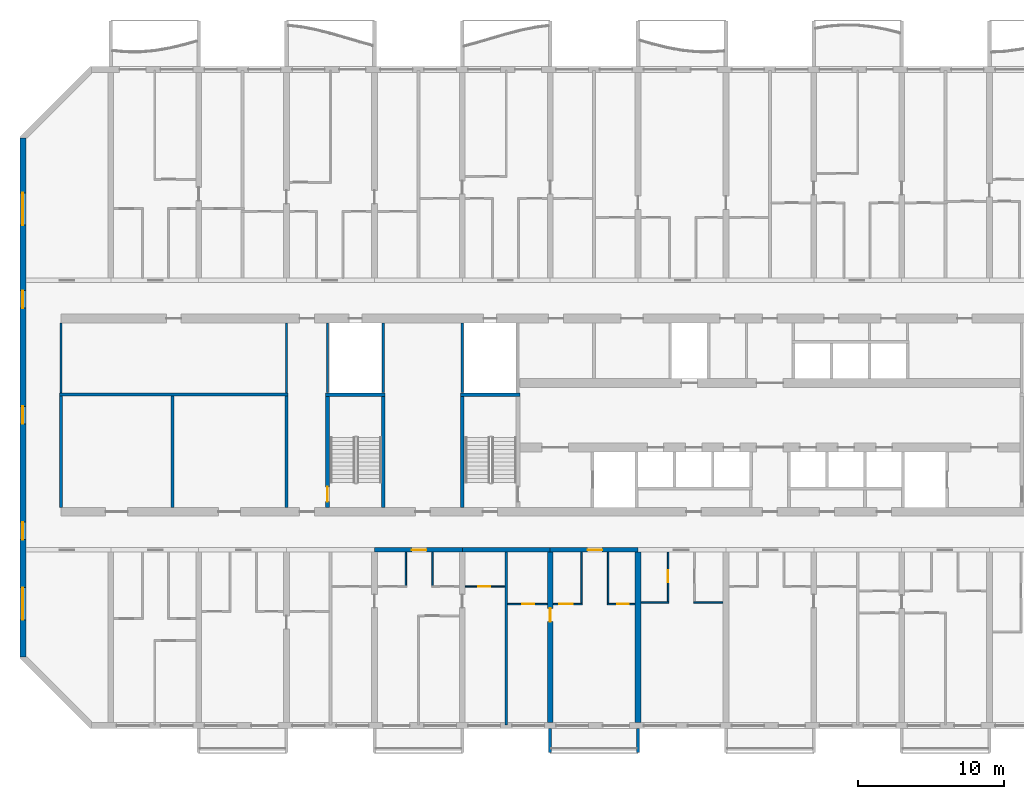
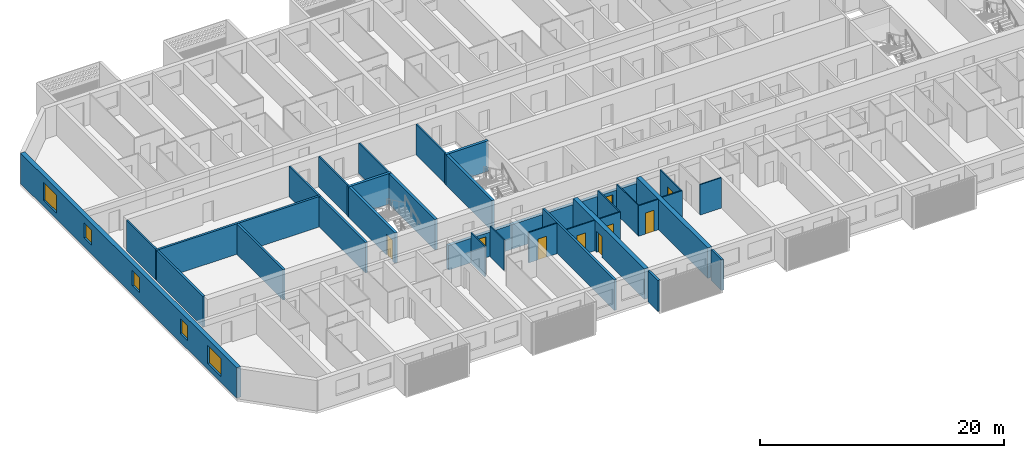
# One storey, part 3 of 38: 34 walls, 9 doors, 5 windows, 14 openings.
"""IFC4 building model written with IfcOpenShell, lengths in metres."""

from ifc_helpers import new_model, si_unit, direction, frame, frame_2d, origin, place, context, subcontext, project, spatial, polyline, rectangle, outline, extrude, source, transform, mapped, material, layer, layer_set, type_object, element, fill, save


model = new_model("IFC4")

# Units and contexts
model_context = context("Model", 3, precision=1e-05, world=origin(), true_north=direction((0.0, 1.0)))
body_context = subcontext(model_context, "Body", "Model", "MODEL_VIEW")
ifc_project = project(units=[si_unit("LENGTHUNIT", "METRE"), si_unit("AREAUNIT", "SQUARE_METRE"), si_unit("VOLUMEUNIT", "CUBIC_METRE"), si_unit("PLANEANGLEUNIT", "RADIAN"), si_unit("MASSUNIT", "GRAM", prefix="KILO")], contexts=[model_context])

# Site, building, storey
site_placement = place(None, origin())
site = spatial("IfcSite", under=ifc_project, at=site_placement, CompositionType="ELEMENT")
building_placement = place(site_placement, origin())
building = spatial("IfcBuilding", under=site, at=building_placement, Name="Poui Terraces", CompositionType="ELEMENT")
storey_placement = place(building_placement, frame((0.0, 0.0, 46.5)))
storey = spatial("IfcBuildingStorey", under=building, at=storey_placement, Name="L12", CompositionType="ELEMENT", Elevation=46.5)

# Walls
ifc_material_1 = material(Name="Fire-rated plasterboard wall")
ifc_layer_1 = layer(ifc_material_1, 0.14990234375)
ifc_layer_set_1 = layer_set([ifc_layer_1], Name="Fire-rated plasterboard wall")
wall_type_1 = type_object("IfcWallType", Name="CORRIDOR WALL 150", PredefinedType="PARTITIONING", material=ifc_layer_set_1)
for number, where, z_axis, x_axis, name in (
    (1, (2.60009765625, 22.699951171875, 0.0), (0.0, 0.0, 1.0), (0.0, 1.0, 0.0), "CORRIDOR WALL 150"),
    (2, (18.0, 22.699951171875, 0.0), (0.0, 0.0, 1.0), (0.0, 1.0, 0.0), "CORRIDOR WALL 150"),
):
    element("IfcWall", number, at=place(storey_placement, frame(where, z_axis=z_axis, x_axis=x_axis)), inside=storey, type_object=wall_type_1, Name=name, PredefinedType="PARTITIONING", context=body_context, shape_type="SweptSolid", body=[
        extrude(rectangle(XDim=4.7900390625, YDim=0.14990234375, at=frame_2d((2.39501953125, 0.0))), origin(), (0.0, 0.0, 1.0), 3.050048828125),
    ])

# Wall, opening, door
ifc_material_2 = material(Name="Concrete 80 MPa", Category="concrete")
ifc_layer_2 = layer(ifc_material_2, 0.300048828125)
ifc_layer_set_2 = layer_set([ifc_layer_2], Name="Concrete 80 MPa")
wall_type_2 = type_object("IfcWallType", Name="CORRIDOR WALL 300 80MPa", PredefinedType="SHEAR", material=ifc_layer_set_2)
wall_1_placement = place(storey_placement, frame((24.0, 12.0, 0.0), z_axis=(0.0, 0.0, 1.0), x_axis=(1.0, 0.0, 0.0)))
wall_1 = element("IfcWall", 3, at=wall_1_placement, inside=storey, type_object=wall_type_2, Name="CORRIDOR WALL LINE B BAY 5", PredefinedType="SHEAR", context=body_context, shape_type="SweptSolid", body=[
    extrude(rectangle(XDim=6.0, YDim=0.300048828125, at=frame_2d((3.0, 0.0))), origin(), (0.0, 0.0, 1.0), 2.449951171875),
])
opening_1_placement = place(wall_1_placement, frame((2.550048828125, 0.0, 0.0)))
opening_1 = element("IfcOpeningElement", 4, at=opening_1_placement, cuts=wall_1, Name="Opening FD30S", PredefinedType="OPENING", context=body_context, shape_type="SweptSolid", body=[
    extrude(rectangle(XDim=1.0, YDim=2.10009765625, at=frame_2d((0.5, 1.050048828125))), frame((0.0, 0.16015625, 0.0), z_axis=(0.0, -1.0, 0.0), x_axis=(1.0, 0.0, 0.0)), (0.0, 0.0, 1.0), 0.320068359375),
])
ifc_material_3 = material(Name="Steel fire door", Category="steel")
door_type_1 = type_object("IfcDoorType", Name="FLAT ENTRANCE DOOR 1000 X 2100", OperationType="NOTDEFINED", PredefinedType="DOOR", material=ifc_material_3)
door_1_placement = place(opening_1_placement, frame((1.0, 0.0, 0.0), z_axis=(0.0, 0.0, 1.0), x_axis=(-1.0, 0.0, 0.0)))
door_1 = element("IfcDoor", 5, at=door_1_placement, inside=storey, type_object=door_type_1, Name="FLAT ENTRANCE DOOR 105", OperationType="SINGLE_SWING_LEFT", OverallHeight=2.10009765625, OverallWidth=1.0, PredefinedType="DOOR", context=body_context, shape_type="SweptSolid", body=[
    extrude(rectangle(XDim=1.0, YDim=2.10009765625, at=frame_2d((0.5, 1.050048828125))), frame((0.0, 0.02490234375, 0.0), z_axis=(0.0, -1.0, 0.0), x_axis=(1.0, 0.0, 0.0)), (0.0, 0.0, 1.0), 0.050048828125),
])
fill(opening_1, door_1)

# Wall
wall_2_placement = place(storey_placement, frame((30.0, 12.0, 0.0), z_axis=(0.0, 0.0, 1.0), x_axis=(1.0, 0.0, 0.0)))
element("IfcWall", 6, at=wall_2_placement, inside=storey, type_object=wall_type_2, Name="CORRIDOR WALL LINE B BAY 6", PredefinedType="SHEAR", context=body_context, shape_type="SweptSolid", body=[
    extrude(rectangle(XDim=6.0, YDim=0.300048828125, at=frame_2d((3.0, 0.0))), origin(), (0.0, 0.0, 1.0), 2.449951171875),
])

# Wall, opening, door
wall_3_placement = place(storey_placement, frame((36.0, 12.0, 0.0), z_axis=(0.0, 0.0, 1.0), x_axis=(1.0, 0.0, 0.0)))
wall_3 = element("IfcWall", 7, at=wall_3_placement, inside=storey, type_object=wall_type_2, Name="CORRIDOR WALL LINE B BAY 7", PredefinedType="SHEAR", context=body_context, shape_type="SweptSolid", body=[
    extrude(rectangle(XDim=6.0, YDim=0.300048828125, at=frame_2d((3.0, 0.0))), origin(), (0.0, 0.0, 1.0), 2.449951171875),
])
opening_2_placement = place(wall_3_placement, frame((2.550048828125, 0.0, 0.0)))
opening_2 = element("IfcOpeningElement", 8, at=opening_2_placement, cuts=wall_3, Name="Opening FD30S", PredefinedType="OPENING", context=body_context, shape_type="SweptSolid", body=[
    extrude(rectangle(XDim=1.0, YDim=2.10009765625, at=frame_2d((0.5, 1.050048828125))), frame((0.0, 0.16015625, 0.0), z_axis=(0.0, -1.0, 0.0), x_axis=(1.0, 0.0, 0.0)), (0.0, 0.0, 1.0), 0.320068359375),
])
door_2_placement = place(opening_2_placement, frame((1.0, 0.0, 0.0), z_axis=(0.0, 0.0, 1.0), x_axis=(-1.0, 0.0, 0.0)))
door_2 = element("IfcDoor", 9, at=door_2_placement, inside=storey, type_object=door_type_1, Name="FLAT ENTRANCE DOOR 112", OperationType="SINGLE_SWING_LEFT", OverallHeight=2.10009765625, OverallWidth=1.0, PredefinedType="DOOR", context=body_context, shape_type="SweptSolid", body=[
    extrude(rectangle(XDim=1.0, YDim=2.10009765625, at=frame_2d((0.5, 1.050048828125))), frame((0.0, 0.02490234375, 0.0), z_axis=(0.0, -1.0, 0.0), x_axis=(1.0, 0.0, 0.0)), (0.0, 0.0, 1.0), 0.050048828125),
])
fill(opening_2, door_2)

ifc_layer_3 = layer(ifc_material_2, 0.39990234375)
ifc_layer_set_3 = layer_set([ifc_layer_3], Name="Concrete 80 MPa")
wall_type_3 = type_object("IfcWallType", Name="CROSS WALL 400 80MPa", PredefinedType="SHEAR", material=ifc_layer_set_3)
wall_4_placement = place(storey_placement, frame((36.0, 0.199951171875, 0.0), z_axis=(0.0, 0.0, 1.0), x_axis=(0.0, 1.0, 0.0)))
wall_4 = element("IfcWall", 10, at=wall_4_placement, inside=storey, type_object=wall_type_3, Name="CROSS WALL LINE 7 SOUTH", PredefinedType="SHEAR", context=body_context, shape_type="SweptSolid", body=[
    extrude(rectangle(XDim=11.650146484375, YDim=0.39990234375, at=frame_2d((5.8251953125, 0.0))), origin(), (0.0, 0.0, 1.0), 3.050048828125),
])
opening_3_placement = place(wall_4_placement, frame((6.89990234375, 0.0, 0.0)))
opening_3 = element("IfcOpeningElement", 11, at=opening_3_placement, cuts=wall_4, Name="Opening D90", PredefinedType="OPENING", context=body_context, shape_type="SweptSolid", body=[
    extrude(rectangle(XDim=0.89990234375, YDim=2.10009765625, at=frame_2d((0.449951171875, 1.050048828125))), frame((0.0, 0.2099609375, 0.0), z_axis=(0.0, -1.0, 0.0), x_axis=(1.0, 0.0, 0.0)), (0.0, 0.0, 1.0), 0.419921875),
])
ifc_material_4 = material(Name="Solid core timber door", Category="wood")
door_type_2 = type_object("IfcDoorType", Name="INTERNAL DOOR 900 X 2100", OperationType="NOTDEFINED", PredefinedType="DOOR", material=ifc_material_4)
door_3_placement = place(opening_3_placement, origin())
door_3 = element("IfcDoor", 12, at=door_3_placement, inside=storey, type_object=door_type_2, Name="INTERNAL DOOR 110", OperationType="SINGLE_SWING_RIGHT", OverallHeight=2.10009765625, OverallWidth=0.89990234375, PredefinedType="DOOR", context=body_context, shape_type="SweptSolid", body=[
    extrude(rectangle(XDim=0.89990234375, YDim=2.10009765625, at=frame_2d((0.449951171875, 1.050048828125))), frame((0.0, 0.02490234375, 0.0), z_axis=(0.0, -1.0, 0.0), x_axis=(1.0, 0.0, 0.0)), (0.0, 0.0, 1.0), 0.050048828125),
])
fill(opening_3, door_3)

# Wall
wall_5_placement = place(storey_placement, frame((42.0, 0.199951171875, 0.0), z_axis=(0.0, 0.0, 1.0), x_axis=(0.0, 1.0, 0.0)))
element("IfcWall", 13, at=wall_5_placement, inside=storey, type_object=wall_type_3, Name="CROSS WALL LINE 8 SOUTH", PredefinedType="SHEAR", context=body_context, shape_type="SweptSolid", body=[
    extrude(rectangle(XDim=11.650146484375, YDim=0.39990234375, at=frame_2d((5.8251953125, 0.0))), origin(), (0.0, 0.0, 1.0), 3.050048828125),
])

# Wall, openings, windows
ifc_layer_4 = layer(ifc_material_2, 0.39990234375)
ifc_layer_set_4 = layer_set([ifc_layer_4], Name="Concrete 80 MPa")
wall_type_4 = type_object("IfcWallType", Name="END WALL 400 80MPa", PredefinedType="SHEAR", material=ifc_layer_set_4)
wall_6_placement = place(storey_placement, frame((0.0, 4.682861328125, 0.0), z_axis=(0.0, 0.0, 1.0), x_axis=(0.0, 1.0, 0.0)))
wall_6 = element("IfcWall", 14, at=wall_6_placement, inside=storey, type_object=wall_type_4, Name="END WALL WEST", PredefinedType="SHEAR", context=body_context, shape_type="SweptSolid", body=[
    extrude(rectangle(XDim=35.434326171875, YDim=0.39990234375, at=frame_2d((17.71728515625, 0.0))), origin(), (0.0, 0.0, 1.0), 3.050048828125),
])
opening_4_placement = place(wall_6_placement, frame((23.817138671875, 0.0, 0.89990234375)))
opening_4 = element("IfcOpeningElement", 15, at=opening_4_placement, cuts=wall_6, Name="Opening W2", PredefinedType="OPENING", context=body_context, shape_type="SweptSolid", body=[
    extrude(rectangle(XDim=1.199951171875, YDim=1.5, at=frame_2d((0.60009765625, 0.75))), frame((0.0, 0.2099609375, 0.0), z_axis=(0.0, -1.0, 0.0), x_axis=(1.0, 0.0, 0.0)), (0.0, 0.0, 1.0), 0.419921875),
])
opening_5_placement = place(wall_6_placement, frame((8.01708984375, 0.0, 0.89990234375)))
opening_5 = element("IfcOpeningElement", 16, at=opening_5_placement, cuts=wall_6, Name="Opening W2", PredefinedType="OPENING", context=body_context, shape_type="SweptSolid", body=[
    extrude(rectangle(XDim=1.199951171875, YDim=1.5, at=frame_2d((0.60009765625, 0.75))), frame((0.0, 0.2099609375, 0.0), z_axis=(0.0, -1.0, 0.0), x_axis=(1.0, 0.0, 0.0)), (0.0, 0.0, 1.0), 0.419921875),
])
opening_6_placement = place(wall_6_placement, frame((15.917236328125, 0.0, 0.89990234375)))
opening_6 = element("IfcOpeningElement", 17, at=opening_6_placement, cuts=wall_6, Name="Opening W2", PredefinedType="OPENING", context=body_context, shape_type="SweptSolid", body=[
    extrude(rectangle(XDim=1.199951171875, YDim=1.5, at=frame_2d((0.60009765625, 0.75))), frame((0.0, 0.2099609375, 0.0), z_axis=(0.0, -1.0, 0.0), x_axis=(1.0, 0.0, 0.0)), (0.0, 0.0, 1.0), 0.419921875),
])
opening_7_placement = place(wall_6_placement, frame((29.493408203125, 0.0, 0.60009765625)))
opening_7 = element("IfcOpeningElement", 18, at=opening_7_placement, cuts=wall_6, Name="Opening W3", PredefinedType="OPENING", context=body_context, shape_type="SweptSolid", body=[
    extrude(rectangle(XDim=2.199951171875, YDim=1.800048828125, at=frame_2d((1.10009765625, 0.89990234375))), frame((0.0, 0.2099609375, 0.0), z_axis=(0.0, -1.0, 0.0), x_axis=(1.0, 0.0, 0.0)), (0.0, 0.0, 1.0), 0.419921875),
])
opening_8_placement = place(wall_6_placement, frame((2.541015625, 0.0, 0.60009765625)))
opening_8 = element("IfcOpeningElement", 19, at=opening_8_placement, cuts=wall_6, Name="Opening W3", PredefinedType="OPENING", context=body_context, shape_type="SweptSolid", body=[
    extrude(rectangle(XDim=2.199951171875, YDim=1.800048828125, at=frame_2d((1.10009765625, 0.89990234375))), frame((0.0, 0.2099609375, 0.0), z_axis=(0.0, -1.0, 0.0), x_axis=(1.0, 0.0, 0.0)), (0.0, 0.0, 1.0), 0.419921875),
])
ifc_material_5 = material(Name="Clear glass in aluminium frame", Category="aluminium")
window_type_1 = type_object("IfcWindowType", Name="WINDOW 1200X1500", PartitioningType="SINGLE_PANEL", PredefinedType="WINDOW", material=ifc_material_5)
window_1_placement = place(opening_4_placement, origin())
window_1 = element("IfcWindow", 20, at=window_1_placement, inside=storey, type_object=window_type_1, Name="W2 WINDOW", OverallHeight=1.5, OverallWidth=1.199951171875, PartitioningType="SINGLE_PANEL", PredefinedType="WINDOW", context=body_context, shape_type="SweptSolid", body=[
    extrude(rectangle(XDim=1.199951171875, YDim=1.5, at=frame_2d((0.60009765625, 0.75))), frame((0.0, 0.030029296875, 0.0), z_axis=(0.0, -1.0, 0.0), x_axis=(1.0, 0.0, 0.0)), (0.0, 0.0, 1.0), 0.06005859375),
])
fill(opening_4, window_1)
window_2_placement = place(opening_5_placement, origin())
window_2 = element("IfcWindow", 21, at=window_2_placement, inside=storey, type_object=window_type_1, Name="W2 WINDOW", OverallHeight=1.5, OverallWidth=1.199951171875, PartitioningType="SINGLE_PANEL", PredefinedType="WINDOW", context=body_context, shape_type="SweptSolid", body=[
    extrude(rectangle(XDim=1.199951171875, YDim=1.5, at=frame_2d((0.60009765625, 0.75))), frame((0.0, 0.030029296875, 0.0), z_axis=(0.0, -1.0, 0.0), x_axis=(1.0, 0.0, 0.0)), (0.0, 0.0, 1.0), 0.06005859375),
])
fill(opening_5, window_2)
window_3_placement = place(opening_6_placement, origin())
window_3 = element("IfcWindow", 22, at=window_3_placement, inside=storey, type_object=window_type_1, Name="W2 WINDOW", OverallHeight=1.5, OverallWidth=1.199951171875, PartitioningType="SINGLE_PANEL", PredefinedType="WINDOW", context=body_context, shape_type="SweptSolid", body=[
    extrude(rectangle(XDim=1.199951171875, YDim=1.5, at=frame_2d((0.60009765625, 0.75))), frame((0.0, 0.030029296875, 0.0), z_axis=(0.0, -1.0, 0.0), x_axis=(1.0, 0.0, 0.0)), (0.0, 0.0, 1.0), 0.06005859375),
])
fill(opening_6, window_3)
window_type_2 = type_object("IfcWindowType", Name="WINDOW 2200X1800", PartitioningType="DOUBLE_PANEL_HORIZONTAL", PredefinedType="WINDOW", material=ifc_material_5)
window_4_placement = place(opening_7_placement, origin())
window_4 = element("IfcWindow", 23, at=window_4_placement, inside=storey, type_object=window_type_2, Name="W3 WINDOW", OverallHeight=1.800048828125, OverallWidth=2.199951171875, PartitioningType="DOUBLE_PANEL_HORIZONTAL", PredefinedType="WINDOW", context=body_context, shape_type="SweptSolid", body=[
    extrude(rectangle(XDim=2.199951171875, YDim=1.800048828125, at=frame_2d((1.10009765625, 0.89990234375))), frame((0.0, 0.030029296875, 0.0), z_axis=(0.0, -1.0, 0.0), x_axis=(1.0, 0.0, 0.0)), (0.0, 0.0, 1.0), 0.06005859375),
])
fill(opening_7, window_4)
window_5_placement = place(opening_8_placement, origin())
window_5 = element("IfcWindow", 24, at=window_5_placement, inside=storey, type_object=window_type_2, Name="W3 WINDOW", OverallHeight=1.800048828125, OverallWidth=2.199951171875, PartitioningType="DOUBLE_PANEL_HORIZONTAL", PredefinedType="WINDOW", context=body_context, shape_type="SweptSolid", body=[
    extrude(rectangle(XDim=2.199951171875, YDim=1.800048828125, at=frame_2d((1.10009765625, 0.89990234375))), frame((0.0, 0.030029296875, 0.0), z_axis=(0.0, -1.0, 0.0), x_axis=(1.0, 0.0, 0.0)), (0.0, 0.0, 1.0), 0.06005859375),
])
fill(opening_8, window_5)

# Wall, opening, door
ifc_material_6 = material(Name="Plasterboard partition")
ifc_layer_5 = layer(ifc_material_6, 0.10009765625)
ifc_layer_set_5 = layer_set([ifc_layer_5], Name="Plasterboard partition")
wall_type_5 = type_object("IfcWallType", Name="FLAT PARTITION 100", PredefinedType="PARTITIONING", material=ifc_layer_set_5)
wall_7_placement = place(storey_placement, frame((33.10009765625, 8.300048828125, 0.0), z_axis=(0.0, 0.0, 1.0), x_axis=(1.0, 0.0, 0.0)))
wall_7 = element("IfcWall", 25, at=wall_7_placement, inside=storey, type_object=wall_type_5, Name="FLAT PARTITION 100", PredefinedType="PARTITIONING", context=body_context, shape_type="SweptSolid", body=[
    extrude(rectangle(XDim=2.68994140625, YDim=0.10009765625, at=frame_2d((1.344970703125, 0.0))), origin(), (0.0, 0.0, 1.0), 3.050048828125),
])
opening_9_placement = place(wall_7_placement, frame((1.0, 0.0, 0.0)))
opening_9 = element("IfcOpeningElement", 26, at=opening_9_placement, cuts=wall_7, Name="Opening D80", PredefinedType="OPENING", context=body_context, shape_type="SweptSolid", body=[
    extrude(rectangle(XDim=0.800048828125, YDim=2.10009765625, at=frame_2d((0.39990234375, 1.050048828125))), frame((0.0, 0.06005859375, 0.0), z_axis=(0.0, -1.0, 0.0), x_axis=(1.0, 0.0, 0.0)), (0.0, 0.0, 1.0), 0.1201171875),
])
door_type_3 = type_object("IfcDoorType", Name="BATHROOM, LAUNDRY AND STORE DOOR 800 X 2100", OperationType="NOTDEFINED", PredefinedType="DOOR", material=ifc_material_4)
door_4_placement = place(opening_9_placement, origin())
door_4 = element("IfcDoor", 27, at=door_4_placement, inside=storey, type_object=door_type_3, Name="BATHROOM, LAUNDRY AND STORE DOOR 109", OperationType="SINGLE_SWING_LEFT", OverallHeight=2.10009765625, OverallWidth=0.800048828125, PredefinedType="DOOR", context=body_context, shape_type="SweptSolid", body=[
    extrude(rectangle(XDim=0.800048828125, YDim=2.10009765625, at=frame_2d((0.39990234375, 1.050048828125))), frame((0.0, 0.02490234375, 0.0), z_axis=(0.0, -1.0, 0.0), x_axis=(1.0, 0.0, 0.0)), (0.0, 0.0, 1.0), 0.050048828125),
])
fill(opening_9, door_4)

wall_8_placement = place(storey_placement, frame((36.2099609375, 8.300048828125, 0.0), z_axis=(0.0, 0.0, 1.0), x_axis=(1.0, 0.0, 0.0)))
wall_8 = element("IfcWall", 28, at=wall_8_placement, inside=storey, type_object=wall_type_5, Name="FLAT PARTITION 100", PredefinedType="PARTITIONING", context=body_context, shape_type="SweptSolid", body=[
    extrude(rectangle(XDim=1.989990234375, YDim=0.10009765625, at=frame_2d((0.9951171875, 0.0))), origin(), (0.0, 0.0, 1.0), 3.050048828125),
])
opening_10_placement = place(wall_8_placement, frame((0.4150390625, 0.0, 0.0)))
opening_10 = element("IfcOpeningElement", 29, at=opening_10_placement, cuts=wall_8, Name="Opening D90", PredefinedType="OPENING", context=body_context, shape_type="SweptSolid", body=[
    extrude(rectangle(XDim=0.89990234375, YDim=2.10009765625, at=frame_2d((0.449951171875, 1.050048828125))), frame((0.0, 0.06005859375, 0.0), z_axis=(0.0, -1.0, 0.0), x_axis=(1.0, 0.0, 0.0)), (0.0, 0.0, 1.0), 0.1201171875),
])
door_5_placement = place(opening_10_placement, origin())
door_5 = element("IfcDoor", 30, at=door_5_placement, inside=storey, type_object=door_type_2, Name="INTERNAL DOOR 111", OperationType="SINGLE_SWING_RIGHT", OverallHeight=2.10009765625, OverallWidth=0.89990234375, PredefinedType="DOOR", context=body_context, shape_type="SweptSolid", body=[
    extrude(rectangle(XDim=0.89990234375, YDim=2.10009765625, at=frame_2d((0.449951171875, 1.050048828125))), frame((0.0, 0.02490234375, 0.0), z_axis=(0.0, -1.0, 0.0), x_axis=(1.0, 0.0, 0.0)), (0.0, 0.0, 1.0), 0.050048828125),
])
fill(opening_10, door_5)

wall_9_placement = place(storey_placement, frame((39.89990234375, 8.300048828125, 0.0), z_axis=(0.0, 0.0, 1.0), x_axis=(1.0, 0.0, 0.0)))
wall_9 = element("IfcWall", 31, at=wall_9_placement, inside=storey, type_object=wall_type_5, Name="FLAT PARTITION 100", PredefinedType="PARTITIONING", context=body_context, shape_type="SweptSolid", body=[
    extrude(rectangle(XDim=1.89013671875, YDim=0.10009765625, at=frame_2d((0.945068359375, 0.0))), origin(), (0.0, 0.0, 1.0), 3.050048828125),
])
opening_11_placement = place(wall_9_placement, frame((0.675048828125, 0.0, 0.0)))
opening_11 = element("IfcOpeningElement", 32, at=opening_11_placement, cuts=wall_9, Name="Opening D80", PredefinedType="OPENING", context=body_context, shape_type="SweptSolid", body=[
    extrude(rectangle(XDim=0.800048828125, YDim=2.10009765625, at=frame_2d((0.39990234375, 1.050048828125))), frame((0.0, 0.06005859375, 0.0), z_axis=(0.0, -1.0, 0.0), x_axis=(1.0, 0.0, 0.0)), (0.0, 0.0, 1.0), 0.1201171875),
])
door_6_placement = place(opening_11_placement, origin())
door_6 = element("IfcDoor", 33, at=door_6_placement, inside=storey, type_object=door_type_3, Name="BATHROOM, LAUNDRY AND STORE DOOR 113", OperationType="SINGLE_SWING_LEFT", OverallHeight=2.10009765625, OverallWidth=0.800048828125, PredefinedType="DOOR", context=body_context, shape_type="SweptSolid", body=[
    extrude(rectangle(XDim=0.800048828125, YDim=2.10009765625, at=frame_2d((0.39990234375, 1.050048828125))), frame((0.0, 0.02490234375, 0.0), z_axis=(0.0, -1.0, 0.0), x_axis=(1.0, 0.0, 0.0)), (0.0, 0.0, 1.0), 0.050048828125),
])
fill(opening_11, door_6)

# Walls
wall_10_placement = place(storey_placement, frame((42.2099609375, 8.39990234375, 0.0), z_axis=(0.0, 0.0, 1.0), x_axis=(1.0, 0.0, 0.0)))
element("IfcWall", 34, at=wall_10_placement, inside=storey, type_object=wall_type_5, Name="FLAT PARTITION 100", PredefinedType="PARTITIONING", context=body_context, shape_type="SweptSolid", body=[
    extrude(rectangle(XDim=1.89013671875, YDim=0.10009765625, at=frame_2d((0.945068359375, 0.0))), origin(), (0.0, 0.0, 1.0), 3.050048828125),
])
wall_11_placement = place(storey_placement, frame((45.800048828125, 8.39990234375, 0.0), z_axis=(0.0, 0.0, 1.0), x_axis=(1.0, 0.0, 0.0)))
element("IfcWall", 35, at=wall_11_placement, inside=storey, type_object=wall_type_5, Name="FLAT PARTITION 100", PredefinedType="PARTITIONING", context=body_context, shape_type="SweptSolid", body=[
    extrude(rectangle(XDim=1.989990234375, YDim=0.10009765625, at=frame_2d((0.9951171875, 0.0))), origin(), (0.0, 0.0, 1.0), 3.050048828125),
])

# Wall, opening, door
wall_12_placement = place(storey_placement, frame((30.2099609375, 9.5, 0.0), z_axis=(0.0, 0.0, 1.0), x_axis=(1.0, 0.0, 0.0)))
wall_12 = element("IfcWall", 36, at=wall_12_placement, inside=storey, type_object=wall_type_5, Name="FLAT PARTITION 100", PredefinedType="PARTITIONING", context=body_context, shape_type="SweptSolid", body=[
    extrude(rectangle(XDim=2.68994140625, YDim=0.10009765625, at=frame_2d((1.344970703125, 0.0))), origin(), (0.0, 0.0, 1.0), 3.050048828125),
])
opening_12_placement = place(wall_12_placement, frame((0.889892578125, 0.0, 0.0)))
opening_12 = element("IfcOpeningElement", 37, at=opening_12_placement, cuts=wall_12, Name="Opening D80", PredefinedType="OPENING", context=body_context, shape_type="SweptSolid", body=[
    extrude(rectangle(XDim=0.800048828125, YDim=2.10009765625, at=frame_2d((0.39990234375, 1.050048828125))), frame((0.0, 0.06005859375, 0.0), z_axis=(0.0, -1.0, 0.0), x_axis=(1.0, 0.0, 0.0)), (0.0, 0.0, 1.0), 0.1201171875),
])
door_7_placement = place(opening_12_placement, origin())
door_7 = element("IfcDoor", 38, at=door_7_placement, inside=storey, type_object=door_type_3, Name="BATHROOM, LAUNDRY AND STORE DOOR 102", OperationType="SINGLE_SWING_RIGHT", OverallHeight=2.10009765625, OverallWidth=0.800048828125, PredefinedType="DOOR", context=body_context, shape_type="SweptSolid", body=[
    extrude(rectangle(XDim=0.800048828125, YDim=2.10009765625, at=frame_2d((0.39990234375, 1.050048828125))), frame((0.0, 0.02490234375, 0.0), z_axis=(0.0, -1.0, 0.0), x_axis=(1.0, 0.0, 0.0)), (0.0, 0.0, 1.0), 0.050048828125),
])
fill(opening_12, door_7)

# Walls
for number, where, z_axis, x_axis, name in (
    (39, (26.14990234375, 9.550048828125, 0.0), (0.0, 0.0, 1.0), (0.0, 1.0, 0.0), "FLAT PARTITION 100"),
    (40, (27.949951171875, 9.550048828125, 0.0), (0.0, 0.0, 1.0), (0.0, 1.0, 0.0), "FLAT PARTITION 100"),
):
    element("IfcWall", number, at=place(storey_placement, frame(where, z_axis=z_axis, x_axis=x_axis)), inside=storey, type_object=wall_type_5, Name=name, PredefinedType="PARTITIONING", context=body_context, shape_type="SweptSolid", body=[
        extrude(rectangle(XDim=2.2900390625, YDim=0.10009765625, at=frame_2d((1.14501953125, 0.0))), origin(), (0.0, 0.0, 1.0), 3.050048828125),
    ])
for number, where, z_axis, x_axis, name in (
    (41, (38.14990234375, 8.35009765625, 0.0), (0.0, 0.0, 1.0), (0.0, 1.0, 0.0), "FLAT PARTITION 100"),
    (42, (39.949951171875, 8.35009765625, 0.0), (0.0, 0.0, 1.0), (0.0, 1.0, 0.0), "FLAT PARTITION 100"),
):
    element("IfcWall", number, at=place(storey_placement, frame(where, z_axis=z_axis, x_axis=x_axis)), inside=storey, type_object=wall_type_5, Name=name, PredefinedType="PARTITIONING", context=body_context, shape_type="SweptSolid", body=[
        extrude(rectangle(XDim=3.489990234375, YDim=0.10009765625, at=frame_2d((1.7451171875, 0.0))), origin(), (0.0, 0.0, 1.0), 3.050048828125),
    ])

# Wall, opening, door
wall_13_placement = place(storey_placement, frame((44.050048828125, 8.449951171875, 0.0), z_axis=(0.0, 0.0, 1.0), x_axis=(0.0, 1.0, 0.0)))
wall_13 = element("IfcWall", 43, at=wall_13_placement, inside=storey, type_object=wall_type_5, Name="FLAT PARTITION 100", PredefinedType="PARTITIONING", context=body_context, shape_type="SweptSolid", body=[
    extrude(rectangle(XDim=3.39013671875, YDim=0.10009765625, at=frame_2d((1.695068359375, 0.0))), origin(), (0.0, 0.0, 1.0), 3.050048828125),
])
opening_13_placement = place(wall_13_placement, frame((1.35009765625, 0.0, 0.0)))
opening_13 = element("IfcOpeningElement", 44, at=opening_13_placement, cuts=wall_13, Name="Opening D80", PredefinedType="OPENING", context=body_context, shape_type="SweptSolid", body=[
    extrude(rectangle(XDim=0.800048828125, YDim=2.10009765625, at=frame_2d((0.39990234375, 1.050048828125))), frame((0.0, 0.06005859375, 0.0), z_axis=(0.0, -1.0, 0.0), x_axis=(1.0, 0.0, 0.0)), (0.0, 0.0, 1.0), 0.1201171875),
])
door_8_placement = place(opening_13_placement, origin())
door_8 = element("IfcDoor", 45, at=door_8_placement, inside=storey, type_object=door_type_3, Name="BATHROOM, LAUNDRY AND STORE DOOR 114", OperationType="SINGLE_SWING_LEFT", OverallHeight=2.10009765625, OverallWidth=0.800048828125, PredefinedType="DOOR", context=body_context, shape_type="SweptSolid", body=[
    extrude(rectangle(XDim=0.800048828125, YDim=2.10009765625, at=frame_2d((0.39990234375, 1.050048828125))), frame((0.0, 0.02490234375, 0.0), z_axis=(0.0, -1.0, 0.0), x_axis=(1.0, 0.0, 0.0)), (0.0, 0.0, 1.0), 0.050048828125),
])
fill(opening_13, door_8)

# Walls
ifc_material_7 = material(Name="Fire-rated masonry wall", Category="masonry")
ifc_layer_6 = layer(ifc_material_7, 0.199951171875)
ifc_layer_set_6 = layer_set([ifc_layer_6], Name="Fire-rated masonry wall")
wall_type_6 = type_object("IfcWallType", Name="FLAT PARTY WALL 200", PredefinedType="PARTITIONING", material=ifc_layer_set_6)
wall_14_placement = place(storey_placement, frame((33.0, 0.06005859375, 0.0), z_axis=(0.0, 0.0, 1.0), x_axis=(0.0, 1.0, 0.0)))
element("IfcWall", 46, at=wall_14_placement, inside=storey, type_object=wall_type_6, Name="FLAT PARTY WALL 200", PredefinedType="PARTITIONING", context=body_context, shape_type="SweptSolid", body=[
    extrude(rectangle(XDim=11.780029296875, YDim=0.199951171875, at=frame_2d((5.89013671875, 0.0))), origin(), (0.0, 0.0, 1.0), 3.050048828125),
])
ifc_layer_7 = layer(ifc_material_7, 0.199951171875)
ifc_layer_set_7 = layer_set([ifc_layer_7], Name="Fire-rated masonry wall")
wall_type_7 = type_object("IfcWallType", Name="PLANT ROOM WALL 200", PredefinedType="PARTITIONING", material=ifc_layer_set_7)
wall_15_placement = place(storey_placement, frame((2.5, 22.60009765625, 0.0), z_axis=(0.0, 0.0, 1.0), x_axis=(1.0, 0.0, 0.0)))
element("IfcWall", 47, at=wall_15_placement, inside=storey, type_object=wall_type_7, Name="PLANT ROOM WALL 200", PredefinedType="PARTITIONING", context=body_context, shape_type="SweptSolid", body=[
    extrude(rectangle(XDim=15.60009765625, YDim=0.199951171875, at=frame_2d((7.800048828125, 0.0))), origin(), (0.0, 0.0, 1.0), 3.050048828125),
])
for number, where, z_axis, x_axis, name in (
    (48, (2.60009765625, 14.909912109375, 0.0), (0.0, 0.0, 1.0), (0.0, 1.0, 0.0), "PLANT ROOM WALL 200"),
    (49, (10.199951171875, 14.909912109375, 0.0), (0.0, 0.0, 1.0), (0.0, 1.0, 0.0), "PLANT ROOM WALL 200"),
    (50, (18.0, 14.909912109375, 0.0), (0.0, 0.0, 1.0), (0.0, 1.0, 0.0), "PLANT ROOM WALL 200"),
):
    element("IfcWall", number, at=place(storey_placement, frame(where, z_axis=z_axis, x_axis=x_axis)), inside=storey, type_object=wall_type_7, Name=name, PredefinedType="PARTITIONING", context=body_context, shape_type="SweptSolid", body=[
        extrude(rectangle(XDim=7.590087890625, YDim=0.199951171875, at=frame_2d((3.794921875, 0.0))), origin(), (0.0, 0.0, 1.0), 3.050048828125),
    ])
ifc_material_8 = material(Name="Fire-rated plasterboard riser wall")
ifc_layer_8 = layer(ifc_material_8, 0.14990234375)
ifc_layer_set_8 = layer_set([ifc_layer_8], Name="Fire-rated plasterboard riser wall")
wall_type_8 = type_object("IfcWallType", Name="RISER WALL 150", PredefinedType="PARTITIONING", material=ifc_layer_set_8)
for number, where, z_axis, x_axis, name in (
    (51, (20.800048828125, 22.735107421875, 0.0), (0.0, 0.0, 1.0), (0.0, 1.0, 0.0), "RISER WALL 150"),
    (52, (24.60009765625, 22.735107421875, 0.0), (0.0, 0.0, 1.0), (0.0, 1.0, 0.0), "RISER WALL 150"),
    (53, (30.0, 22.735107421875, 0.0), (0.0, 0.0, 1.0), (0.0, 1.0, 0.0), "RISER WALL 150"),
):
    element("IfcWall", number, at=place(storey_placement, frame(where, z_axis=z_axis, x_axis=x_axis)), inside=storey, type_object=wall_type_8, Name=name, PredefinedType="PARTITIONING", context=body_context, shape_type="SweptSolid", body=[
        extrude(rectangle(XDim=4.7548828125, YDim=0.14990234375, at=frame_2d((2.37744140625, 0.0))), origin(), (0.0, 0.0, 1.0), 3.050048828125),
    ])
ifc_layer_9 = layer(ifc_material_2, 0.25)
ifc_layer_set_9 = layer_set([ifc_layer_9], Name="Concrete 80 MPa")
wall_type_9 = type_object("IfcWallType", Name="STAIR CORE WALL 250 80 MPA", PredefinedType="SOLIDWALL", material=ifc_layer_set_9)
wall_16_placement = place(storey_placement, frame((30.0, 14.89990234375, 0.0), z_axis=(0.0, 0.0, 1.0), x_axis=(0.0, 1.0, 0.0)))
element("IfcWall", 54, at=wall_16_placement, inside=storey, type_object=wall_type_9, Name="STAIR CORE WALL", PredefinedType="SOLIDWALL", context=body_context, shape_type="SweptSolid", body=[
    extrude(rectangle(XDim=7.5751953125, YDim=0.25, at=frame_2d((3.78759765625, 0.0))), origin(), (0.0, 0.0, 1.0), 3.050048828125),
])
wall_17_placement = place(storey_placement, frame((29.875, 22.60009765625, 0.0), z_axis=(0.0, 0.0, 1.0), x_axis=(1.0, 0.0, 0.0)))
element("IfcWall", 55, at=wall_17_placement, inside=storey, type_object=wall_type_9, Name="STAIR CORE WALL", PredefinedType="SOLIDWALL", context=body_context, shape_type="SweptSolid", body=[
    extrude(rectangle(XDim=4.050048828125, YDim=0.25, at=frame_2d((2.02490234375, 0.0))), origin(), (0.0, 0.0, 1.0), 3.050048828125),
])

# Wall, opening, door
wall_18_placement = place(storey_placement, frame((20.800048828125, 14.89990234375, 0.0), z_axis=(0.0, 0.0, 1.0), x_axis=(0.0, 1.0, 0.0)))
wall_18 = element("IfcWall", 56, at=wall_18_placement, inside=storey, type_object=wall_type_9, Name="STAIR CORE WALL", PredefinedType="SOLIDWALL", context=body_context, shape_type="SweptSolid", body=[
    extrude(rectangle(XDim=7.5751953125, YDim=0.25, at=frame_2d((3.78759765625, 0.0))), origin(), (0.0, 0.0, 1.0), 3.050048828125),
])
opening_14_placement = place(wall_18_placement, frame((0.39990234375, 0.0, 0.0)))
opening_14 = element("IfcOpeningElement", 57, at=opening_14_placement, cuts=wall_18, Name="Opening FD60S", PredefinedType="OPENING", context=body_context, shape_type="SweptSolid", body=[
    extrude(rectangle(XDim=1.0, YDim=2.10009765625, at=frame_2d((0.5, 1.050048828125))), frame((0.0, 0.135009765625, 0.0), z_axis=(0.0, -1.0, 0.0), x_axis=(1.0, 0.0, 0.0)), (0.0, 0.0, 1.0), 0.27001953125),
])
door_type_4 = type_object("IfcDoorType", Name="STAIR DOOR 1000 X 2100", OperationType="NOTDEFINED", PredefinedType="DOOR", material=ifc_material_3)
door_9_placement = place(opening_14_placement, frame((1.0, 0.0, 0.0), z_axis=(0.0, 0.0, 1.0), x_axis=(-1.0, 0.0, 0.0)))
door_9 = element("IfcDoor", 58, at=door_9_placement, inside=storey, type_object=door_type_4, Name="STAIR DOOR 164", OperationType="SINGLE_SWING_RIGHT", OverallHeight=2.10009765625, OverallWidth=1.0, PredefinedType="DOOR", context=body_context, shape_type="SweptSolid", body=[
    extrude(rectangle(XDim=1.0, YDim=2.10009765625, at=frame_2d((0.5, 1.050048828125))), frame((0.0, 0.02490234375, 0.0), z_axis=(0.0, -1.0, 0.0), x_axis=(1.0, 0.0, 0.0)), (0.0, 0.0, 1.0), 0.050048828125),
])
fill(opening_14, door_9)

# Walls
wall_19_placement = place(storey_placement, frame((24.60009765625, 14.89990234375, 0.0), z_axis=(0.0, 0.0, 1.0), x_axis=(0.0, 1.0, 0.0)))
element("IfcWall", 59, at=wall_19_placement, inside=storey, type_object=wall_type_9, Name="STAIR CORE WALL", PredefinedType="SOLIDWALL", context=body_context, shape_type="SweptSolid", body=[
    extrude(rectangle(XDim=7.5751953125, YDim=0.25, at=frame_2d((3.78759765625, 0.0))), origin(), (0.0, 0.0, 1.0), 3.050048828125),
])
wall_20_placement = place(storey_placement, frame((20.675048828125, 22.60009765625, 0.0), z_axis=(0.0, 0.0, 1.0), x_axis=(1.0, 0.0, 0.0)))
element("IfcWall", 60, at=wall_20_placement, inside=storey, type_object=wall_type_9, Name="STAIR CORE WALL", PredefinedType="SOLIDWALL", context=body_context, shape_type="SweptSolid", body=[
    extrude(rectangle(XDim=4.050048828125, YDim=0.25, at=frame_2d((2.02490234375, 0.0))), origin(), (0.0, 0.0, 1.0), 3.050048828125),
])
ifc_material_9 = material(Name="Precast concrete 40 MPa", Category="concrete")
ifc_layer_10 = layer(ifc_material_9, 0.199951171875)
ifc_layer_set_10 = layer_set([ifc_layer_10], Name="Precast concrete 40 MPa")
wall_type_10 = type_object("IfcWallType", Name="REAR FIN 200", PredefinedType="STANDARD", material=ifc_layer_set_10)
shared_shape = source(origin(), body_context, "Body", "SweptSolid", [
    extrude(outline(polyline([(0.0, 0.0), (0.2001953125, 0.0), (0.2001953125, 1.650146484375), (0.0, 1.650146484375), (0.0, 0.0)])), origin(), (0.0, 0.0, 1.0), 3.10009765625),
])
for number, where, name in (
    (61, (35.89990234375, -1.85009765625, 0.0), "REAR FIN"),
    (62, (41.89990234375, -1.85009765625, 0.0), "REAR FIN"),
):
    element("IfcWall", number, at=place(storey_placement, frame(where)), inside=storey, type_object=wall_type_10, Name=name, PredefinedType="STANDARD", context=body_context, shape_type="MappedRepresentation", body=[
        mapped(shared_shape, transform((0.0, 0.0, 0.0))),
    ])

save(model, "model.ifc")
